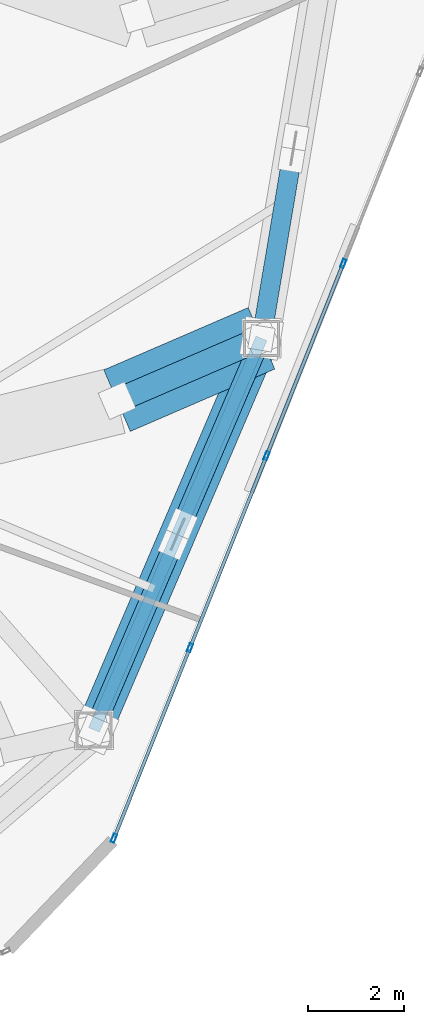
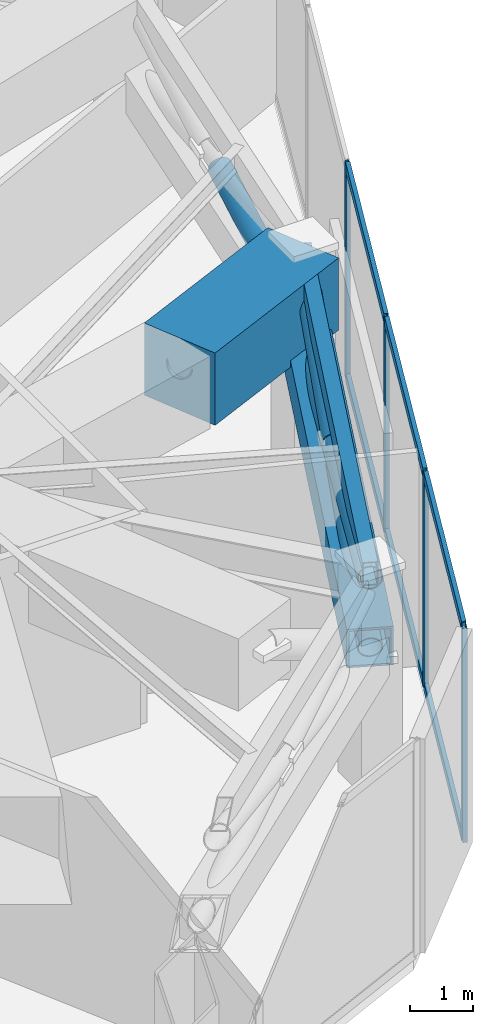
# One storey, part 10 of 21: 16 members, 2 beams, 1 element without a shape of its own.
"""IFC4 building model written with IfcOpenShell, lengths in metres."""

from ifc_helpers import new_model, si_unit, direction, frame, origin, origin_2d, place, context, subcontext, project, spatial, rectangle, hollow_rectangle, hollow_circle, extrude, source, transform, mapped, material, layer, layer_set, material_profile, profile_set, type_object, type_shapes, element, aggregate, save


model = new_model("IFC4")

# Units and contexts
model_context = context("Model", 3, precision=1e-05, world=origin(), true_north=direction((0.0, 1.0)))
body_context = subcontext(model_context, "Body", "Model", "MODEL_VIEW")
ifc_project = project(units=[si_unit("LENGTHUNIT", "METRE"), si_unit("AREAUNIT", "SQUARE_METRE"), si_unit("VOLUMEUNIT", "CUBIC_METRE"), si_unit("PLANEANGLEUNIT", "RADIAN"), si_unit("MASSUNIT", "GRAM", prefix="KILO")], contexts=[model_context])

# Site, building, storey
site_placement = place(None, origin())
site = spatial("IfcSite", under=ifc_project, at=site_placement, CompositionType="ELEMENT")
building_placement = place(site_placement, origin())
building = spatial("IfcBuilding", under=site, at=building_placement, Name="Talar Marvaseh", CompositionType="ELEMENT")
storey_placement = place(building_placement, frame((0.0, 0.0, 162.39990234375)))
storey = spatial("IfcBuildingStorey", under=building, at=storey_placement, Name="L42", CompositionType="ELEMENT", Elevation=162.39990234375)

# Beams
ifc_material_1 = material(Name="Concrete C70/85", Category="concrete")
ifc_material_profile_1 = material_profile(ifc_material_1, rectangle(XDim=1.39990234375, YDim=1.39990234375, at=origin_2d()), Name="RC1400x1400")
ifc_profile_set_1 = profile_set([ifc_material_profile_1], Name="Concrete C70/85")
beam_type_1 = type_object("IfcBeamType", Name="Setback Deep Concrete Transfer Girder RC1400x1400", PredefinedType="BEAM", material=ifc_profile_set_1)
beam_1_placement = place(storey_placement, frame((41.708984375, 28.1279296875, 3.4501953125), z_axis=(-0.918078314376, -0.396399052311, 0.0), x_axis=(0.396399052311, -0.918078314376, 0.0)))
element("IfcBeam", 1, at=beam_1_placement, inside=storey, type_object=beam_type_1, Name="L42 Setback Cantilever Transfer Girder 4", PredefinedType="BEAM", context=body_context, shape_type="SweptSolid", body=[
    extrude(rectangle(XDim=1.39990234375, YDim=1.39990234375, at=origin_2d()), origin(), (0.0, 0.0, 1.0), 3.28955078125),
])
ifc_material_2 = material(Name="Steel S355", Category="steel")
ifc_material_profile_2 = material_profile(ifc_material_2, hollow_rectangle(XDim=0.25, YDim=0.449951171875, WallThickness=0.01611328125, at=origin_2d()), Name="RHS450x250x16")
ifc_profile_set_2 = profile_set([ifc_material_profile_2], Name="Steel S355")
beam_type_2 = type_object("IfcBeamType", Name="Zone 2 Perimeter Spandrel Beam RHS450x250x16", PredefinedType="SPANDREL", material=ifc_profile_set_2)
beam_2_placement = place(storey_placement, frame((41.708984375, 28.1279296875, 3.925048828125), z_axis=(-0.393369955619, -0.919380268451, 0.0), x_axis=(0.919380268451, -0.393369955619, 0.0)))
element("IfcBeam", 2, at=beam_2_placement, inside=storey, type_object=beam_type_2, Name="L42 Zone 2 Perimeter Spandrel Beam RHS450x250x16", PredefinedType="SPANDREL", context=body_context, shape_type="SweptSolid", body=[
    extrude(hollow_rectangle(XDim=0.25, YDim=0.449951171875, WallThickness=0.01611328125, at=origin_2d()), origin(), (0.0, 0.0, 1.0), 8.905029296875),
])

# Members
ifc_material_3 = material(Name="Steel S460", Category="steel")
ifc_material_profile_3 = material_profile(ifc_material_3, hollow_circle(Radius=0.25390625, WallThickness=0.02001953125, at=origin_2d()), Name="CHS508x20")
ifc_profile_set_3 = profile_set([ifc_material_profile_3], Name="Steel S460")
member_type_1 = type_object("IfcMemberType", Name="Crown Frame Diagonal Brace CHS508x20", PredefinedType="BRACE", material=ifc_profile_set_3)
shared_shape_1 = source(origin(), body_context, "Body", "SweptSolid", [
    extrude(hollow_circle(Radius=0.25390625, WallThickness=0.02001953125, at=origin_2d()), origin(), (0.0, 0.0, 1.0), 3.468505859375),
])
type_shapes(member_type_1, [shared_shape_1])
member_1_placement = place(storey_placement, frame((41.708984375, 28.1279296875, 2.550048828125), z_axis=(-0.87067949498, -0.375933644518, 0.317161018948), x_axis=(0.396399052311, -0.918078314376, 0.0)))
element("IfcMember", 3, at=member_1_placement, inside=storey, type_object=member_type_1, Name="L42 Setback Transfer Raked Strut 4", PredefinedType="BRACE", context=body_context, shape_type="MappedRepresentation", body=[
    mapped(shared_shape_1, transform((0.0, 0.0, 0.0), x_axis=(1.0, 0.0, 0.0), y_axis=(0.0, 1.0, 0.0), z_axis=(0.0, 0.0, 1.0), scale=1.0)),
])
ifc_material_profile_4 = material_profile(ifc_material_3, hollow_circle(Radius=0.203125, WallThickness=0.01611328125, at=origin_2d()), Name="CHS406x16")
ifc_profile_set_4 = profile_set([ifc_material_profile_4], Name="Steel S460")
member_type_2 = type_object("IfcMemberType", Name="Belt Truss Diagonal Brace CHS406x16", PredefinedType="BRACE", material=ifc_profile_set_4)
shared_shape_2 = source(origin(), body_context, "Body", "SweptSolid", [
    extrude(hollow_circle(Radius=0.203125, WallThickness=0.01611328125, at=origin_2d()), origin(), (0.0, 0.0, 1.0), 3.845947265625),
])
member_2_placement = place(storey_placement, frame((41.708984375, 28.1279296875, 2.5), z_axis=(0.163394893403, 0.972624924911, 0.16523578381), x_axis=(-0.986180875618, 0.165672208187, 0.0)))
element("IfcMember", 4, at=member_2_placement, inside=storey, type_object=member_type_2, Name="L42 Belt Truss Split Diagonal Lower 2", PredefinedType="BRACE", context=body_context, shape_type="MappedRepresentation", body=[
    mapped(shared_shape_2, transform((0.0, 0.0, 0.0), x_axis=(1.0, 0.0, 0.0), y_axis=(0.0, 1.0, 0.0), z_axis=(0.0, 0.0, 1.0), scale=1.0)),
])
ifc_material_profile_5 = material_profile(ifc_material_3, hollow_rectangle(XDim=0.75, YDim=0.75, WallThickness=0.0400390625, at=origin_2d()), Name="BOX750x750x40")
ifc_profile_set_5 = profile_set([ifc_material_profile_5], Name="Steel S460")
member_type_3 = type_object("IfcMemberType", Name="Belt Truss Chord Member BOX750x750x40", PredefinedType="CHORD", material=ifc_profile_set_5)
shared_shape_3 = source(origin(), body_context, "Body", "SweptSolid", [
    extrude(hollow_rectangle(XDim=0.75, YDim=0.75, WallThickness=0.0400390625, at=origin_2d()), origin(), (0.0, 0.0, 1.0), 8.905029296875),
])
type_shapes(member_type_3, [shared_shape_3])
member_3_placement = place(storey_placement, frame((41.708984375, 28.1279296875, 2.5), z_axis=(-0.393369955619, -0.919380268451, 0.0), x_axis=(0.919380268451, -0.393369955619, 0.0)))
element("IfcMember", 5, at=member_3_placement, inside=storey, type_object=member_type_3, Name="L42 Belt Truss Bottom Chord 3", PredefinedType="CHORD", context=body_context, shape_type="MappedRepresentation", body=[
    mapped(shared_shape_3, transform((0.0, 0.0, 0.0), x_axis=(1.0, 0.0, 0.0), y_axis=(0.0, 1.0, 0.0), z_axis=(0.0, 0.0, 1.0), scale=1.0)),
])
shared_shape_4 = source(origin(), body_context, "Body", "SweptSolid", [
    extrude(hollow_circle(Radius=0.203125, WallThickness=0.01611328125, at=origin_2d()), origin(), (0.0, 0.0, 1.0), 9.006591796875),
])
member_4_placement = place(storey_placement, frame((41.708984375, 28.1279296875, 2.5), z_axis=(-0.388925365621, -0.908992417809, 0.149899447441), x_axis=(0.919380268451, -0.393369955619, 0.0)))
element("IfcMember", 6, at=member_4_placement, inside=storey, type_object=member_type_2, Name="L42 Belt Truss Continuous Diagonal 3", PredefinedType="BRACE", context=body_context, shape_type="MappedRepresentation", body=[
    mapped(shared_shape_4, transform((0.0, 0.0, 0.0), x_axis=(1.0, 0.0, 0.0), y_axis=(0.0, 1.0, 0.0), z_axis=(0.0, 0.0, 1.0), scale=1.0)),
])
shared_shape_5 = source(origin(), body_context, "Body", "SweptSolid", [
    extrude(hollow_circle(Radius=0.203125, WallThickness=0.01611328125, at=origin_2d()), origin(), (0.0, 0.0, 1.0), 4.263427734375),
])
member_5_placement = place(storey_placement, frame((38.2060546875, 19.94091796875, 2.5), z_axis=(0.38892851358, 0.908988696197, 0.14991384696), x_axis=(-0.919378534484, 0.393374008203, 0.0)))
element("IfcMember", 7, at=member_5_placement, inside=storey, type_object=member_type_2, Name="L42 Belt Truss Split Diagonal Lower 3", PredefinedType="BRACE", context=body_context, shape_type="MappedRepresentation", body=[
    mapped(shared_shape_5, transform((0.0, 0.0, 0.0), x_axis=(1.0, 0.0, 0.0), y_axis=(0.0, 1.0, 0.0), z_axis=(0.0, 0.0, 1.0), scale=1.0)),
])
shared_shape_6 = source(origin(), body_context, "Body", "SweptSolid", [
    extrude(hollow_circle(Radius=0.203125, WallThickness=0.01611328125, at=origin_2d()), origin(), (0.0, 0.0, 1.0), 4.26318359375),
])
type_shapes(member_type_2, [shared_shape_2, shared_shape_4, shared_shape_5, shared_shape_6])
member_6_placement = place(storey_placement, frame((40.05078125, 24.252685546875, 3.211181640625), z_axis=(0.388952097386, 0.908986549148, 0.14986567121), x_axis=(-0.919369571472, 0.393394955549, 0.0)))
element("IfcMember", 8, at=member_6_placement, inside=storey, type_object=member_type_2, Name="L42 Belt Truss Split Diagonal Upper 3", PredefinedType="BRACE", context=body_context, shape_type="MappedRepresentation", body=[
    mapped(shared_shape_6, transform((0.0, 0.0, 0.0), x_axis=(1.0, 0.0, 0.0), y_axis=(0.0, 1.0, 0.0), z_axis=(0.0, 0.0, 1.0), scale=1.0)),
])

# Curtain wall, members
ifc_material_4 = material(Name="Architectural Aluminium", Category="aluminium")
ifc_layer = layer(ifc_material_4, 0.199951171875)
ifc_layer_set = layer_set([ifc_layer], Name="Architectural Aluminium")
curtain_wall_type = type_object("IfcCurtainWallType", Name="Unitised Acoustic Library Curtain Wall Z2", PredefinedType="NOTDEFINED", material=ifc_layer_set)
curtain_wall_placement = place(storey_placement, origin())
curtain_wall = element("IfcCurtainWall", 9, at=curtain_wall_placement, inside=storey, type_object=curtain_wall_type, Name="L42 Unitised Acoustic Library Curtain Wall Z2", PredefinedType="NOTDEFINED")
ifc_material_profile_6 = material_profile(ifc_material_4, hollow_rectangle(XDim=0.074951171875, YDim=0.179931640625, WallThickness=0.0048828125, at=origin_2d()), Name="RHS180x75x5")
ifc_profile_set_6 = profile_set([ifc_material_profile_6], Name="Architectural Aluminium")
member_type_4 = type_object("IfcMemberType", Name="Unitised Curtain Wall Transom RHS180x75x5", PredefinedType="USERDEFINED", material=ifc_profile_set_6)
shared_shape_7 = source(origin(), body_context, "Body", "SweptSolid", [
    extrude(hollow_rectangle(XDim=0.074951171875, YDim=0.179931640625, WallThickness=0.0048828125, at=origin_2d()), origin(), (0.0, 0.0, 1.0), 4.24853515625),
])
member_7_placement = place(storey_placement, frame((43.4052734375, 29.654296875, 0.03759765625), z_axis=(-0.370706939923, -0.928749893509, 0.0), x_axis=(0.928749893509, -0.370706939923, 0.0)))
member_7 = element("IfcMember", 10, at=member_7_placement, type_object=member_type_4, Name="CW-Z2 transom 3.1", ObjectType="TRANSOM", PredefinedType="USERDEFINED", context=body_context, shape_type="MappedRepresentation", body=[
    mapped(shared_shape_7, transform((0.0, 0.0, 0.0), x_axis=(1.0, 0.0, 0.0), y_axis=(0.0, 1.0, 0.0), z_axis=(0.0, 0.0, 1.0), scale=1.0)),
])
member_8_placement = place(storey_placement, frame((43.4052734375, 29.654296875, 4.112548828125), z_axis=(-0.370706939923, -0.928749893509, 0.0), x_axis=(0.928749893509, -0.370706939923, 0.0)))
member_8 = element("IfcMember", 11, at=member_8_placement, type_object=member_type_4, Name="CW-Z2 transom 3.2", ObjectType="TRANSOM", PredefinedType="USERDEFINED", context=body_context, shape_type="MappedRepresentation", body=[
    mapped(shared_shape_7, transform((0.0, 0.0, 0.0), x_axis=(1.0, 0.0, 0.0), y_axis=(0.0, 1.0, 0.0), z_axis=(0.0, 0.0, 1.0), scale=1.0)),
])
member_9_placement = place(storey_placement, frame((41.802490234375, 25.638916015625, 0.03759765625), z_axis=(-0.370706939923, -0.928749893509, 0.0), x_axis=(0.928749893509, -0.370706939923, 0.0)))
member_9 = element("IfcMember", 12, at=member_9_placement, type_object=member_type_4, Name="CW-Z2 transom 4.1", ObjectType="TRANSOM", PredefinedType="USERDEFINED", context=body_context, shape_type="MappedRepresentation", body=[
    mapped(shared_shape_7, transform((0.0, 0.0, 0.0), x_axis=(1.0, 0.0, 0.0), y_axis=(0.0, 1.0, 0.0), z_axis=(0.0, 0.0, 1.0), scale=1.0)),
])
member_10_placement = place(storey_placement, frame((41.802490234375, 25.638916015625, 4.112548828125), z_axis=(-0.370706939923, -0.928749893509, 0.0), x_axis=(0.928749893509, -0.370706939923, 0.0)))
member_10 = element("IfcMember", 13, at=member_10_placement, type_object=member_type_4, Name="CW-Z2 transom 4.2", ObjectType="TRANSOM", PredefinedType="USERDEFINED", context=body_context, shape_type="MappedRepresentation", body=[
    mapped(shared_shape_7, transform((0.0, 0.0, 0.0), x_axis=(1.0, 0.0, 0.0), y_axis=(0.0, 1.0, 0.0), z_axis=(0.0, 0.0, 1.0), scale=1.0)),
])
shared_shape_8 = source(origin(), body_context, "Body", "SweptSolid", [
    extrude(hollow_rectangle(XDim=0.074951171875, YDim=0.179931640625, WallThickness=0.0048828125, at=origin_2d()), origin(), (0.0, 0.0, 1.0), 4.2109375),
])
type_shapes(member_type_4, [shared_shape_7, shared_shape_8])
member_11_placement = place(storey_placement, frame((40.199951171875, 21.623291015625, 0.03759765625), z_axis=(-0.370710835667, -0.928748338528, 0.0), x_axis=(0.928748338528, -0.370710835667, 0.0)))
member_11 = element("IfcMember", 14, at=member_11_placement, type_object=member_type_4, Name="CW-Z2 transom 5.1", ObjectType="TRANSOM", PredefinedType="USERDEFINED", context=body_context, shape_type="MappedRepresentation", body=[
    mapped(shared_shape_8, transform((0.0, 0.0, 0.0), x_axis=(1.0, 0.0, 0.0), y_axis=(0.0, 1.0, 0.0), z_axis=(0.0, 0.0, 1.0), scale=1.0)),
])
member_12_placement = place(storey_placement, frame((40.199951171875, 21.623291015625, 4.112548828125), z_axis=(-0.370710835667, -0.928748338528, 0.0), x_axis=(0.928748338528, -0.370710835667, 0.0)))
member_12 = element("IfcMember", 15, at=member_12_placement, type_object=member_type_4, Name="CW-Z2 transom 5.2", ObjectType="TRANSOM", PredefinedType="USERDEFINED", context=body_context, shape_type="MappedRepresentation", body=[
    mapped(shared_shape_8, transform((0.0, 0.0, 0.0), x_axis=(1.0, 0.0, 0.0), y_axis=(0.0, 1.0, 0.0), z_axis=(0.0, 0.0, 1.0), scale=1.0)),
])
ifc_material_profile_7 = material_profile(ifc_material_4, hollow_rectangle(XDim=0.074951171875, YDim=0.179931640625, WallThickness=0.0048828125, at=origin_2d()), Name="RHS180x75x5")
ifc_profile_set_7 = profile_set([ifc_material_profile_7], Name="Architectural Aluminium")
member_type_5 = type_object("IfcMemberType", Name="Unitised Curtain Wall Standard Mullion RHS180x75x5", PredefinedType="MULLION", material=ifc_profile_set_7)
shared_shape_9 = source(origin(), body_context, "Body", "SweptSolid", [
    extrude(hollow_rectangle(XDim=0.074951171875, YDim=0.179931640625, WallThickness=0.0048828125, at=origin_2d()), origin(), (0.0, 0.0, 1.0), 4.150146484375),
])
type_shapes(member_type_5, [shared_shape_9])
member_13_placement = place(storey_placement, frame((43.419189453125, 29.689208984375, 0.0), z_axis=(0.0, 0.0, 1.0), x_axis=(0.928751753992, -0.370702278732, 0.0)))
member_13 = element("IfcMember", 16, at=member_13_placement, type_object=member_type_5, Name="CW-Z2 mullion 3", PredefinedType="MULLION", context=body_context, shape_type="MappedRepresentation", body=[
    mapped(shared_shape_9, transform((0.0, 0.0, 0.0), x_axis=(1.0, 0.0, 0.0), y_axis=(0.0, 1.0, 0.0), z_axis=(0.0, 0.0, 1.0), scale=1.0)),
])
member_14_placement = place(storey_placement, frame((41.81640625, 25.673583984375, 0.0), z_axis=(0.0, 0.0, 1.0), x_axis=(0.928751753992, -0.370702278732, 0.0)))
member_14 = element("IfcMember", 17, at=member_14_placement, type_object=member_type_5, Name="CW-Z2 mullion 4", PredefinedType="MULLION", context=body_context, shape_type="MappedRepresentation", body=[
    mapped(shared_shape_9, transform((0.0, 0.0, 0.0), x_axis=(1.0, 0.0, 0.0), y_axis=(0.0, 1.0, 0.0), z_axis=(0.0, 0.0, 1.0), scale=1.0)),
])
member_15_placement = place(storey_placement, frame((40.213623046875, 21.658203125, 0.0), z_axis=(0.0, 0.0, 1.0), x_axis=(0.928751753992, -0.370702278732, 0.0)))
member_15 = element("IfcMember", 18, at=member_15_placement, type_object=member_type_5, Name="CW-Z2 mullion 5", PredefinedType="MULLION", context=body_context, shape_type="MappedRepresentation", body=[
    mapped(shared_shape_9, transform((0.0, 0.0, 0.0), x_axis=(1.0, 0.0, 0.0), y_axis=(0.0, 1.0, 0.0), z_axis=(0.0, 0.0, 1.0), scale=1.0)),
])
member_16_placement = place(storey_placement, frame((38.625, 17.677490234375, 0.0), z_axis=(0.0, 0.0, 1.0), x_axis=(0.928751753992, -0.370702278732, 0.0)))
member_16 = element("IfcMember", 19, at=member_16_placement, type_object=member_type_5, Name="CW-Z2 mullion 6", PredefinedType="MULLION", context=body_context, shape_type="MappedRepresentation", body=[
    mapped(shared_shape_9, transform((0.0, 0.0, 0.0), x_axis=(1.0, 0.0, 0.0), y_axis=(0.0, 1.0, 0.0), z_axis=(0.0, 0.0, 1.0), scale=1.0)),
])
aggregate(curtain_wall, [member_13, member_14, member_15, member_16, member_7, member_8, member_9, member_10, member_11, member_12])

save(model, "model.ifc")
